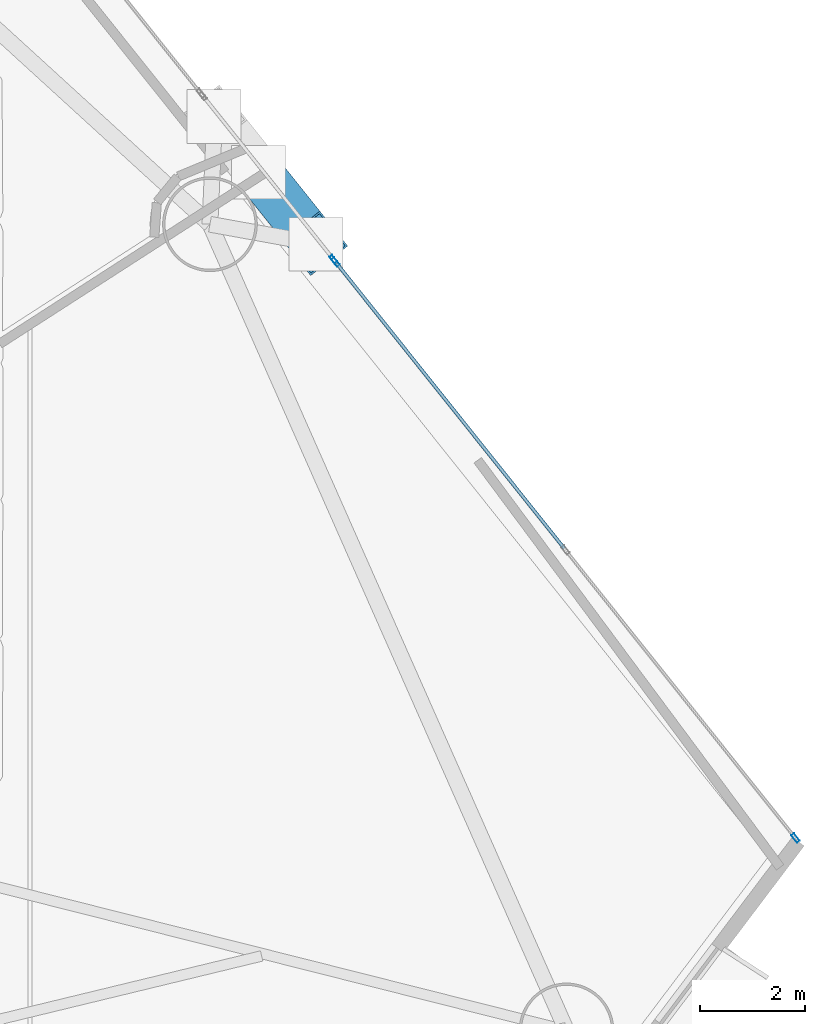
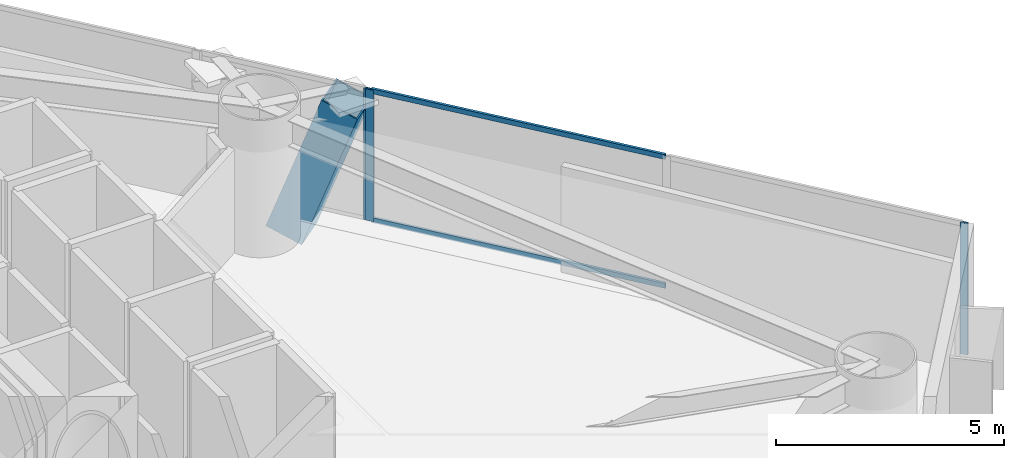
# One storey, part 14 of 23: 6 members, 2 elements without a shape of their own.
"""IFC4 building model written with IfcOpenShell, lengths in metres."""

from ifc_helpers import new_model, si_unit, direction, frame, origin, origin_2d, place, context, subcontext, project, spatial, hollow_rectangle, extrude, material, layer, layer_set, material_profile, profile_set, type_object, element, aggregate, save


model = new_model("IFC4")

# Units and contexts
model_context = context("Model", 3, precision=1e-05, world=origin(), true_north=direction((0.0, 1.0)))
body_context = subcontext(model_context, "Body", "Model", "MODEL_VIEW")
ifc_project = project(units=[si_unit("LENGTHUNIT", "METRE"), si_unit("AREAUNIT", "SQUARE_METRE"), si_unit("VOLUMEUNIT", "CUBIC_METRE"), si_unit("PLANEANGLEUNIT", "RADIAN"), si_unit("MASSUNIT", "GRAM", prefix="KILO")], contexts=[model_context])

# Site, building, storey
site_placement = place(None, origin())
site = spatial("IfcSite", under=ifc_project, at=site_placement, CompositionType="ELEMENT")
building_placement = place(site_placement, origin())
building = spatial("IfcBuilding", under=site, at=building_placement, Name="Qianvela Tower", CompositionType="ELEMENT")
storey_placement = place(building_placement, frame((0.0, 0.0, 33.10009765625)))
storey = spatial("IfcBuildingStorey", under=building, at=storey_placement, Name="L07", CompositionType="ELEMENT", Elevation=33.10009765625)

# Curtain wall, member
ifc_material_1 = material(Name="Anodised Architectural Aluminium and Insulated Spandrel Panel", Category="aluminium")
ifc_layer_1 = layer(ifc_material_1, 0.179931640625)
ifc_layer_set_1 = layer_set([ifc_layer_1], Name="Anodised Architectural Aluminium and Insulated Spandrel Panel")
curtain_wall_type_1 = type_object("IfcCurtainWallType", Name="CW-BRACEBAY", PredefinedType="USERDEFINED", material=ifc_layer_set_1)
curtain_wall_1_placement = place(storey_placement, origin())
curtain_wall_1 = element("IfcCurtainWall", 1, at=curtain_wall_1_placement, inside=storey, type_object=curtain_wall_type_1, Name="L07 CW-BRACEBAY Curtain Wall 02B", ObjectType="CURTAIN_WALL_SYSTEM", PredefinedType="USERDEFINED")
ifc_material_2 = material(Name="Anodised Architectural Aluminium 6063-T6", Category="aluminium")
ifc_material_profile_1 = material_profile(ifc_material_2, hollow_rectangle(XDim=0.06494140625, YDim=0.159912109375, WallThickness=0.0048828125, at=origin_2d()), Name="ALU-MULL-65x160")
ifc_profile_set_1 = profile_set([ifc_material_profile_1], Name="Anodised Architectural Aluminium 6063-T6")
member_type_1 = type_object("IfcMemberType", Name="CW-BRACEBAY-MULL", PredefinedType="MULLION", material=ifc_profile_set_1)
member_1_placement = place(storey_placement, frame((50.080322265625, 31.973388671875, 0.0), z_axis=(0.0, 0.0, 1.0), x_axis=(-0.781444647879, -0.623974568634, 0.0)))
member_1 = element("IfcMember", 2, at=member_1_placement, type_object=member_type_1, Name="CW-9 mullion 1", PredefinedType="MULLION", context=body_context, shape_type="SweptSolid", body=[
    extrude(hollow_rectangle(XDim=0.06494140625, YDim=0.159912109375, WallThickness=0.0048828125, at=origin_2d()), origin(), (0.0, 0.0, 1.0), 3.52001953125),
])
aggregate(curtain_wall_1, [member_1])

# Curtain wall, members
ifc_material_3 = material(Name="Anodised Architectural Aluminium and Low-E Glass", Category="aluminium")
ifc_layer_2 = layer(ifc_material_3, 0.179931640625)
ifc_layer_set_2 = layer_set([ifc_layer_2], Name="Anodised Architectural Aluminium and Low-E Glass")
curtain_wall_type_2 = type_object("IfcCurtainWallType", Name="CW-COLIV-Z12", PredefinedType="USERDEFINED", material=ifc_layer_set_2)
curtain_wall_2_placement = place(storey_placement, origin())
curtain_wall_2 = element("IfcCurtainWall", 3, at=curtain_wall_2_placement, inside=storey, type_object=curtain_wall_type_2, Name="L07 CW-COLIV-Z12 Curtain Wall 02A", ObjectType="CURTAIN_WALL_SYSTEM", PredefinedType="USERDEFINED")
ifc_material_4 = material(Name="Anodised Architectural Aluminium 6063-T6", Category="aluminium")
ifc_material_profile_2 = material_profile(ifc_material_4, hollow_rectangle(XDim=0.070068359375, YDim=0.179931640625, WallThickness=0.0048828125, at=origin_2d()), Name="ALU-MULL-70x180")
ifc_profile_set_2 = profile_set([ifc_material_profile_2], Name="Anodised Architectural Aluminium 6063-T6")
member_type_2 = type_object("IfcMemberType", Name="CW-COLIV-Z12-MULL", PredefinedType="MULLION", material=ifc_profile_set_2)
member_2_placement = place(storey_placement, frame((58.8642578125, 20.97265625, 0.0), z_axis=(0.0, 0.0, 1.0), x_axis=(-0.781442205502, -0.623977627371, 0.0)))
member_2 = element("IfcMember", 4, at=member_2_placement, type_object=member_type_2, Name="CW-3 mullion 1", PredefinedType="MULLION", context=body_context, shape_type="SweptSolid", body=[
    extrude(hollow_rectangle(XDim=0.070068359375, YDim=0.179931640625, WallThickness=0.0048828125, at=origin_2d()), origin(), (0.0, 0.0, 1.0), 3.52001953125),
])
member_3_placement = place(storey_placement, frame((50.12255859375, 31.920654296875, 0.0), z_axis=(0.0, 0.0, 1.0), x_axis=(-0.781442205502, -0.623977627371, 0.0)))
member_3 = element("IfcMember", 5, at=member_3_placement, type_object=member_type_2, Name="CW-3 mullion 3", PredefinedType="MULLION", context=body_context, shape_type="SweptSolid", body=[
    extrude(hollow_rectangle(XDim=0.070068359375, YDim=0.179931640625, WallThickness=0.0048828125, at=origin_2d()), origin(), (0.0, 0.0, 1.0), 3.52001953125),
])
ifc_material_5 = material(Name="Anodised Architectural Aluminium 6063-T6", Category="aluminium")
ifc_material_profile_3 = material_profile(ifc_material_5, hollow_rectangle(XDim=0.06494140625, YDim=0.1298828125, WallThickness=0.00439453125, at=origin_2d()), Name="ALU-TRAN-65x130")
ifc_profile_set_3 = profile_set([ifc_material_profile_3], Name="Anodised Architectural Aluminium 6063-T6")
member_type_3 = type_object("IfcMemberType", Name="CW-COLIV-Z12-TRAN", PredefinedType="USERDEFINED", material=ifc_profile_set_3)
member_4_placement = place(storey_placement, frame((54.4716796875, 26.47412109375, 0.032470703125), z_axis=(-0.623995005268, 0.781428329023, 0.0), x_axis=(-0.781428329023, -0.623995005268, 0.0)))
member_4 = element("IfcMember", 6, at=member_4_placement, type_object=member_type_3, Name="CW-3 transom 2.1", ObjectType="TRANSOM", PredefinedType="USERDEFINED", context=body_context, shape_type="SweptSolid", body=[
    extrude(hollow_rectangle(XDim=0.06494140625, YDim=0.1298828125, WallThickness=0.00439453125, at=origin_2d()), origin(), (0.0, 0.0, 1.0), 6.93505859375),
])
member_5_placement = place(storey_placement, frame((54.4716796875, 26.47412109375, 3.4873046875), z_axis=(-0.623995005268, 0.781428329023, 0.0), x_axis=(-0.781428329023, -0.623995005268, 0.0)))
member_5 = element("IfcMember", 7, at=member_5_placement, type_object=member_type_3, Name="CW-3 transom 2.2", ObjectType="TRANSOM", PredefinedType="USERDEFINED", context=body_context, shape_type="SweptSolid", body=[
    extrude(hollow_rectangle(XDim=0.06494140625, YDim=0.1298828125, WallThickness=0.00439453125, at=origin_2d()), origin(), (0.0, 0.0, 1.0), 6.93505859375),
])
aggregate(curtain_wall_2, [member_2, member_3, member_4, member_5])

# Member
ifc_material_6 = material(Name="Steel Q420GJC", Category="steel")
ifc_material_profile_4 = material_profile(ifc_material_6, hollow_rectangle(XDim=0.89990234375, YDim=0.89990234375, WallThickness=0.035888671875, at=origin_2d()), Name="MBOX-900x900x36")
ifc_profile_set_4 = profile_set([ifc_material_profile_4], Name="Steel Q420GJC")
member_type_4 = type_object("IfcMemberType", Name="MBR-MBRACE-900", PredefinedType="BRACE", material=ifc_profile_set_4)
member_6_placement = place(storey_placement, frame((48.918701171875, 33.300048828125, -0.531982421875), z_axis=(0.208636026651, -0.261308072724, 0.942437849151), x_axis=(0.781467199739, 0.623946324399, 0.0)))
element("IfcMember", 8, at=member_6_placement, inside=storey, type_object=member_type_4, Name="L07 Tier 1 Exterior Mega-Brace F1A", PredefinedType="BRACE", context=body_context, shape_type="SweptSolid", body=[
    extrude(hollow_rectangle(XDim=0.89990234375, YDim=0.89990234375, WallThickness=0.035888671875, at=origin_2d()), origin(), (0.0, 0.0, 1.0), 3.926025390625),
])

save(model, "model.ifc")
